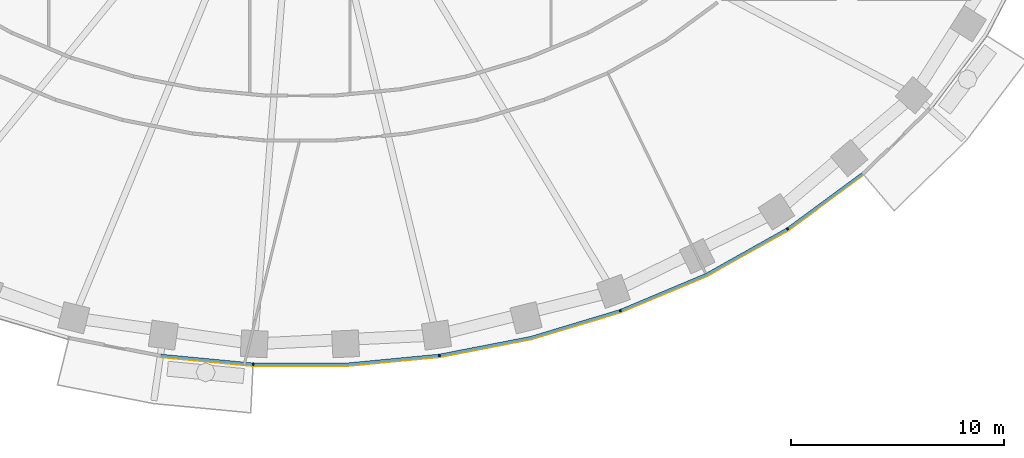
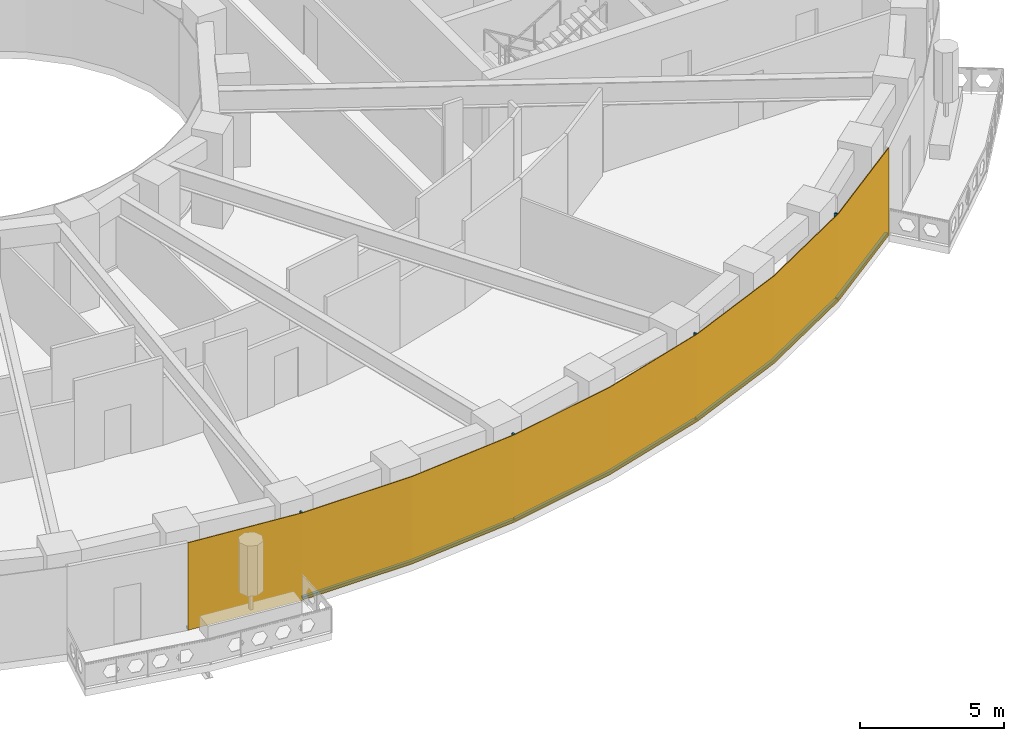
# One storey, part 9 of 16: 9 members, 1 curtain wall.
"""IFC4 building model written with IfcOpenShell, lengths in metres."""

import ifcopenshell
import ifcopenshell.guid

model = None  # the IFC model being written
_history = None  # IfcOwnerHistory: only IFC2X3 demands one
_inside = {}  # id of a spatial element -> (the spatial element, [elements in it])
_under = {}  # id of a project, library or spatial element -> (it, [spatial elements below it])
_declared = {}  # id of a project -> (the project, [libraries it declares])
_typed = {}  # id of a type object -> (the type object, [elements of that type])
_made_of = {}  # id of a material, layer set ... -> (it, [elements and type objects made of it])


def new_model(schema):
    """Start an empty IFC model of exactly this schema.

    Asked for "IFC4X3", IfcOpenShell would pick the latest addendum, in which some entities
    have other attributes; the version numbers below select the first issue.
    IFC2X3 requires an IfcOwnerHistory on every rooted entity: one is made here for all.
    """
    global model, _history
    if schema == "IFC4X3":
        model = ifcopenshell.file(schema_version=(4, 3, 0, 0))
    else:
        model = ifcopenshell.file(schema=schema)
    _inside.clear()
    _under.clear()
    _declared.clear()
    _typed.clear()
    _made_of.clear()
    _history = None
    if model.schema == "IFC2X3":
        org = make("IfcOrganization", Name="unknown")
        user = make(
            "IfcPersonAndOrganization",
            ThePerson=make("IfcPerson", FamilyName="unknown"),
            TheOrganization=org,
        )
        app = make(
            "IfcApplication",
            ApplicationDeveloper=org,
            Version="unknown",
            ApplicationFullName="unknown",
            ApplicationIdentifier="unknown",
        )
        _history = make(
            "IfcOwnerHistory",
            OwningUser=user,
            OwningApplication=app,
            ChangeAction="ADDED",
            CreationDate=0,
        )
    return model


def make(cls, **values):
    """One entity of the class cls with the attributes given. An attribute that is None is left unset."""
    return model.create_entity(
        cls, **{name: value for name, value in values.items() if value is not None}
    )


def rooted(cls, **values):
    """An entity with a GlobalId (a new one), such as an element, a storey or a relation."""
    return make(cls, GlobalId=ifcopenshell.guid.new(), OwnerHistory=_history, **values)


def si_unit(unit_type, name, prefix=None):
    """IfcSIUnit, for example si_unit("LENGTHUNIT", "METRE", prefix="MILLI")."""
    return make("IfcSIUnit", UnitType=unit_type, Prefix=prefix, Name=name)


def assignment(units):
    """IfcUnitAssignment: the units of a project."""
    return None if units is None else make("IfcUnitAssignment", Units=units)


def point(xyz):
    """IfcCartesianPoint."""
    return None if xyz is None else make("IfcCartesianPoint", Coordinates=xyz)


def direction(xyz):
    """IfcDirection."""
    return None if xyz is None else make("IfcDirection", DirectionRatios=xyz)


def frame(location, z_axis=None, x_axis=None):
    """IfcAxis2Placement3D, a coordinate frame: its origin and axes. An axis left out is left unset."""
    return make(
        "IfcAxis2Placement3D",
        Location=point(location),
        Axis=direction(z_axis),
        RefDirection=direction(x_axis),
    )


def frame_2d(location, x_axis=None):
    """IfcAxis2Placement2D, a coordinate frame in the plane: its origin and x axis."""
    return make(
        "IfcAxis2Placement2D", Location=point(location), RefDirection=direction(x_axis)
    )


def origin():
    """The frame at (0, 0, 0) with its axes left unset."""
    return frame((0.0, 0.0, 0.0))


def origin_2d():
    """The frame at (0, 0) in the plane with its x axis left unset."""
    return frame_2d((0.0, 0.0))


def place(relative_to, where):
    """IfcLocalPlacement: puts the frame where relative to a parent placement (None: the world)."""
    return make(
        "IfcLocalPlacement", PlacementRelTo=relative_to, RelativePlacement=where
    )


def context(
    kind, dimensions, precision=None, world=None, true_north=None, identifier=None
):
    """IfcGeometricRepresentationContext, for example the 3D "Model" context."""
    return make(
        "IfcGeometricRepresentationContext",
        ContextIdentifier=identifier,
        ContextType=kind,
        CoordinateSpaceDimension=dimensions,
        Precision=precision,
        WorldCoordinateSystem=world,
        TrueNorth=true_north,
    )


def subcontext(parent, identifier, kind, view, scale=None):
    """IfcGeometricRepresentationSubContext, for example "Body" below "Model"."""
    return make(
        "IfcGeometricRepresentationSubContext",
        ContextIdentifier=identifier,
        ContextType=kind,
        ParentContext=parent,
        TargetScale=scale,
        TargetView=view,
    )


def project(units=None, contexts=None):
    """IfcProject with its units and contexts."""
    return rooted(
        "IfcProject",
        Name="project",
        RepresentationContexts=contexts,
        UnitsInContext=assignment(units),
    )


def spatial(cls, under=None, at=None, **own):
    """A site, building, storey or space (cls), placed at a placement, below another one or the project."""
    s = rooted(cls, ObjectPlacement=at, **own)
    if under is not None:
        _under.setdefault(under.id(), (under, []))[1].append(s)
    return s


def polyline(points):
    """IfcPolyline through the points."""
    return make("IfcPolyline", Points=[point(p) for p in points])


def profile(cls, at=None, kind="AREA", **sizes):
    """A parametric profile (cls). Its sizes go by their IFC names, for example OverallWidth=200.0."""
    return make(cls, ProfileType=kind, Position=at, **sizes)


def rectangle(**sizes):
    """IfcRectangleProfileDef."""
    return profile("IfcRectangleProfileDef", **sizes)


def outline(outer, holes=None, kind="AREA"):
    """IfcArbitraryClosedProfileDef: a profile drawn as a closed curve; with holes, ...WithVoids."""
    if holes is None:
        return make("IfcArbitraryClosedProfileDef", ProfileType=kind, OuterCurve=outer)
    return make(
        "IfcArbitraryProfileDefWithVoids",
        ProfileType=kind,
        OuterCurve=outer,
        InnerCurves=holes,
    )


def extrude(swept, where, along, depth):
    """IfcExtrudedAreaSolid: the profile swept, set in the frame where, extruded along a direction by depth."""
    return make(
        "IfcExtrudedAreaSolid",
        SweptArea=swept,
        Position=where,
        ExtrudedDirection=direction(along),
        Depth=depth,
    )


def shape(context_of_items, identifier, shape_type, items):
    """IfcShapeRepresentation: the items that make up one representation, for example the "Body"."""
    return make(
        "IfcShapeRepresentation",
        ContextOfItems=context_of_items,
        RepresentationIdentifier=identifier,
        RepresentationType=shape_type,
        Items=items,
    )


def material(Name=None, Category=None):
    """IfcMaterial."""
    return make("IfcMaterial", Name=Name, Category=Category)


def layer(
    of_material, thickness, ventilated=None, Name=None, Category=None, Priority=None
):
    """IfcMaterialLayer: one layer of a wall or slab, of a material (None: an air gap)."""
    return make(
        "IfcMaterialLayer",
        Material=of_material,
        LayerThickness=thickness,
        IsVentilated=ventilated,
        Name=Name,
        Category=Category,
        Priority=Priority,
    )


def layer_set(layers, Name=None):
    """IfcMaterialLayerSet."""
    return make("IfcMaterialLayerSet", MaterialLayers=layers, LayerSetName=Name)


def material_profile(
    of_material, cross_section, Name=None, Category=None, Priority=None
):
    """IfcMaterialProfile: a cross section and its material."""
    return make(
        "IfcMaterialProfile",
        Name=Name,
        Material=of_material,
        Profile=cross_section,
        Priority=Priority,
        Category=Category,
    )


def profile_set(profiles, Name=None, composite=None):
    """IfcMaterialProfileSet."""
    return make(
        "IfcMaterialProfileSet",
        Name=Name,
        MaterialProfiles=profiles,
        CompositeProfile=composite,
    )


def made_of(thing, what):
    """Note that an element or type object is made of a material, layer set ...; save() writes the relation."""
    if what is not None:
        _made_of.setdefault(what.id(), (what, []))[1].append(thing)
    return thing


def type_object(cls, material=None, **own):
    """A type object (cls), such as IfcWallType, which elements share."""
    return made_of(rooted(cls, **own), material)


def element(
    cls,
    number,
    at=None,
    inside=None,
    cuts=None,
    type_object=None,
    material=None,
    context=None,
    identifier="Body",
    shape_type=None,
    held_by="IfcProductDefinitionShape",
    body=None,
    shapes=None,
    **own,
):
    """One element of the class cls, such as IfcWall. Its Tag is "e" and its number.

    at: its placement. inside: the storey or other place that contains it. cuts: it is an
    opening in that element (IfcRelVoidsElement). A single representation is given by context,
    identifier, shape_type and body (its items); several are given by shapes. held_by: the class
    of the entity that holds the representations. save() writes the other relations.
    """
    e = rooted(cls, Tag="e%d" % number, ObjectPlacement=at, **own)
    if body is not None:
        shapes = [shape(context, identifier, shape_type, body)]
    if shapes is not None:
        e.Representation = make(held_by, Representations=shapes)
    if inside is not None:
        _inside.setdefault(inside.id(), (inside, []))[1].append(e)
    if cuts is not None:
        rooted(
            "IfcRelVoidsElement", RelatingBuildingElement=cuts, RelatedOpeningElement=e
        )
    if type_object is not None:
        _typed.setdefault(type_object.id(), (type_object, []))[1].append(e)
    return made_of(e, material)


def aggregate(whole, parts):
    """IfcRelAggregates: a whole, such as a stair, and the parts it consists of."""
    return rooted("IfcRelAggregates", RelatingObject=whole, RelatedObjects=parts)


def save(model, path):
    """Write the relations noted so far, then the file.

    IfcRelAggregates (storeys below a building ...), IfcRelContainedInSpatialStructure (elements
    in a storey), IfcRelDefinesByType, IfcRelAssociatesMaterial and IfcRelDeclares: one each for
    every whole, place, type object, material and project.
    """
    for whole, parts in _under.values():
        aggregate(whole, parts)
    for where, things in _inside.values():
        rooted(
            "IfcRelContainedInSpatialStructure",
            RelatedElements=things,
            RelatingStructure=where,
        )
    for kind, things in _typed.values():
        rooted("IfcRelDefinesByType", RelatedObjects=things, RelatingType=kind)
    for what, things in _made_of.values():
        rooted("IfcRelAssociatesMaterial", RelatedObjects=things, RelatingMaterial=what)
    for by, libraries in _declared.values():
        rooted("IfcRelDeclares", RelatingContext=by, RelatedDefinitions=libraries)
    model.write(path)


model = new_model("IFC4")

# Units and contexts
model_context = context("Model", 3, precision=1e-05, world=origin(), true_north=direction((0.0, 1.0)))
body_context = subcontext(model_context, "Body", "Model", "MODEL_VIEW")
ifc_project = project(units=[si_unit("LENGTHUNIT", "METRE"), si_unit("AREAUNIT", "SQUARE_METRE"), si_unit("VOLUMEUNIT", "CUBIC_METRE"), si_unit("PLANEANGLEUNIT", "RADIAN"), si_unit("MASSUNIT", "GRAM", prefix="KILO")], contexts=[model_context])

# Member
ifc_material_1 = material(Name="Aluminium 6063-T6 black anodised", Category="aluminium")
ifc_material_profile = material_profile(ifc_material_1, rectangle(XDim=0.1201171875, YDim=0.06005859375, at=origin_2d()), Name="120x60")
ifc_profile_set = profile_set([ifc_material_profile], Name="Aluminium 6063-T6 black anodised")
member_type_1 = type_object("IfcMemberType", Name="ENV-MULLION-A-120", PredefinedType="MULLION", material=ifc_profile_set)
site_placement = place(None, origin())
building_placement = place(site_placement, origin())
storey_placement = place(building_placement, frame((0.0, 0.0, 136.0)))
member_1_placement = place(storey_placement, frame((-2.188720703125, -27.856201171875, 0.0), z_axis=(0.0, 0.0, 1.0), x_axis=(0.047557873581, 0.998868484166, 0.0)))
member_1 = element("IfcMember", 1, at=member_1_placement, type_object=member_type_1, Name="Mullion A radial 35", PredefinedType="MULLION", context=body_context, shape_type="SweptSolid", body=[
    extrude(rectangle(XDim=0.1201171875, YDim=0.06005859375, at=origin_2d()), origin(), (0.0, 0.0, 1.0), 3.699951171875),
])

member_2_placement = place(storey_placement, frame((6.54638671875, -27.440185546875, 0.0), z_axis=(0.0, 0.0, 1.0), x_axis=(-0.143082012705, 0.989710835366, 0.0)))
member_2 = element("IfcMember", 2, at=member_2_placement, type_object=member_type_1, Name="Mullion A radial 37", PredefinedType="MULLION", context=body_context, shape_type="SweptSolid", body=[
    extrude(rectangle(XDim=0.1201171875, YDim=0.06005859375, at=origin_2d()), origin(), (0.0, 0.0, 1.0), 3.699951171875),
])

member_3_placement = place(storey_placement, frame((15.0341796875, -25.34375, 0.0), z_axis=(0.0, 0.0, 1.0), x_axis=(-0.338379256581, 0.941009818608, 0.0)))
member_3 = element("IfcMember", 3, at=member_3_placement, type_object=member_type_1, Name="Mullion A radial 39", PredefinedType="MULLION", context=body_context, shape_type="SweptSolid", body=[
    extrude(rectangle(XDim=0.1201171875, YDim=0.06005859375, at=origin_2d()), origin(), (0.0, 0.0, 1.0), 3.699951171875),
])

member_4_placement = place(storey_placement, frame((22.882568359375, -21.506591796875, 0.0), z_axis=(0.0, 0.0, 1.0), x_axis=(-0.542279153225, 0.840198381323, 0.0)))
member_4 = element("IfcMember", 4, at=member_4_placement, type_object=member_type_1, Name="Mullion A radial 41", PredefinedType="MULLION", context=body_context, shape_type="SweptSolid", body=[
    extrude(rectangle(XDim=0.1201171875, YDim=0.06005859375, at=origin_2d()), origin(), (0.0, 0.0, 1.0), 3.699951171875),
])

ifc_material_2 = material(Name="Aluminium 6063-T6 black anodised", Category="aluminium")
member_type_2 = type_object("IfcMemberType", Name="ENV-TRANSOM-A", PredefinedType="USERDEFINED", material=ifc_material_2)
member_5_placement = place(storey_placement, origin())
member_5 = element("IfcMember", 5, at=member_5_placement, type_object=member_type_2, Name="Transom A radial 34-35", ObjectType="TRANSOM", PredefinedType="USERDEFINED", context=body_context, shape_type="SweptSolid", body=[
    extrude(outline(polyline([(-6.53515625, -27.50146484375), (-2.219482421875, -27.913330078125), (-2.2138671875, -27.793212890625), (-6.51806640625, -27.382568359375), (-6.53515625, -27.50146484375)])), origin(), (0.0, 0.0, 1.0), 0.10009765625),
])

member_6_placement = place(storey_placement, origin())
member_6 = element("IfcMember", 6, at=member_6_placement, type_object=member_type_2, Name="Transom A radial 35-37", ObjectType="TRANSOM", PredefinedType="USERDEFINED", context=body_context, shape_type="SweptSolid", body=[
    extrude(outline(polyline([(-2.163818359375, -27.916015625), (2.191650390625, -27.916015625), (6.527099609375, -27.502197265625), (6.510009765625, -27.38330078125), (2.185791015625, -27.7958984375), (-2.157958984375, -27.7958984375), (-2.163818359375, -27.916015625)])), origin(), (0.0, 0.0, 1.0), 0.10009765625),
])

member_7_placement = place(storey_placement, origin())
member_7 = element("IfcMember", 7, at=member_7_placement, type_object=member_type_2, Name="Transom A radial 37-39", ObjectType="TRANSOM", PredefinedType="USERDEFINED", context=body_context, shape_type="SweptSolid", body=[
    extrude(outline(polyline([(6.58251953125, -27.494140625), (10.857666015625, -26.6630859375), (15.027587890625, -25.408203125), (14.987060546875, -25.295166015625), (10.828857421875, -26.54638671875), (6.5654296875, -27.375244140625), (6.58251953125, -27.494140625)])), origin(), (0.0, 0.0, 1.0), 0.10009765625),
])

member_8_placement = place(storey_placement, origin())
member_8 = element("IfcMember", 8, at=member_8_placement, type_object=member_type_2, Name="Transom A radial 39-41", ObjectType="TRANSOM", PredefinedType="USERDEFINED", context=body_context, shape_type="SweptSolid", body=[
    extrude(outline(polyline([(15.080322265625, -25.389404296875), (19.093994140625, -23.701416015625), (22.890625, -21.570556640625), (22.825439453125, -21.469482421875), (19.041259765625, -23.593505859375), (15.03955078125, -25.276123046875), (15.080322265625, -25.389404296875)])), origin(), (0.0, 0.0, 1.0), 0.10009765625),
])

member_9_placement = place(storey_placement, origin())
member_9 = element("IfcMember", 9, at=member_9_placement, type_object=member_type_2, Name="Transom A radial 41-42", ObjectType="TRANSOM", PredefinedType="USERDEFINED", context=body_context, shape_type="SweptSolid", body=[
    extrude(outline(polyline([(22.937744140625, -21.540283203125), (26.42626953125, -18.970703125), (26.348388671875, -18.87890625), (22.87255859375, -21.439208984375), (22.937744140625, -21.540283203125)])), origin(), (0.0, 0.0, 1.0), 0.10009765625),
])

# Site, building, storey
site = spatial("IfcSite", under=ifc_project, at=site_placement, CompositionType="ELEMENT")
building = spatial("IfcBuilding", under=site, at=building_placement, Name="Noorbagh Ring Tower", CompositionType="ELEMENT")
storey = spatial("IfcBuildingStorey", under=building, at=storey_placement, Name="L31", CompositionType="ELEMENT", Elevation=136.0)

# Curtain wall
ifc_material_3 = material(Name="Glass dark tinted laminated", Category="glass")
ifc_layer = layer(ifc_material_3, 0.031982421875)
ifc_layer_set = layer_set([ifc_layer], Name="Glass dark tinted laminated")
curtain_wall_type = type_object("IfcCurtainWallType", Name="ENV-CW-A", PredefinedType="NOTDEFINED", material=ifc_layer_set)
curtain_wall_placement = place(storey_placement, origin())
curtain_wall = element("IfcCurtainWall", 10, at=curtain_wall_placement, inside=storey, type_object=curtain_wall_type, Name="Curtain wall A R34", PredefinedType="NOTDEFINED", context=body_context, shape_type="SweptSolid", body=[
    extrude(outline(polyline([(-6.539794921875, -27.533203125), (-2.193115234375, -27.947998046875), (2.193115234375, -27.947998046875), (6.559814453125, -27.53125), (10.865234375, -26.6943359375), (15.065185546875, -25.430419921875), (19.108154296875, -23.730224609375), (22.9326171875, -21.583740234375), (26.447021484375, -18.9951171875), (26.42626953125, -18.970703125), (22.9150390625, -21.556884765625), (19.093994140625, -23.701416015625), (15.054443359375, -25.400146484375), (10.857666015625, -26.6630859375), (6.55517578125, -27.49951171875), (2.191650390625, -27.916015625), (-2.191650390625, -27.916015625), (-6.53515625, -27.50146484375), (-6.539794921875, -27.533203125)])), origin(), (0.0, 0.0, 1.0), 3.699951171875),
])

aggregate(curtain_wall, [member_1, member_2, member_3, member_4, member_5, member_6, member_7, member_8, member_9])

save(model, "model.ifc")
